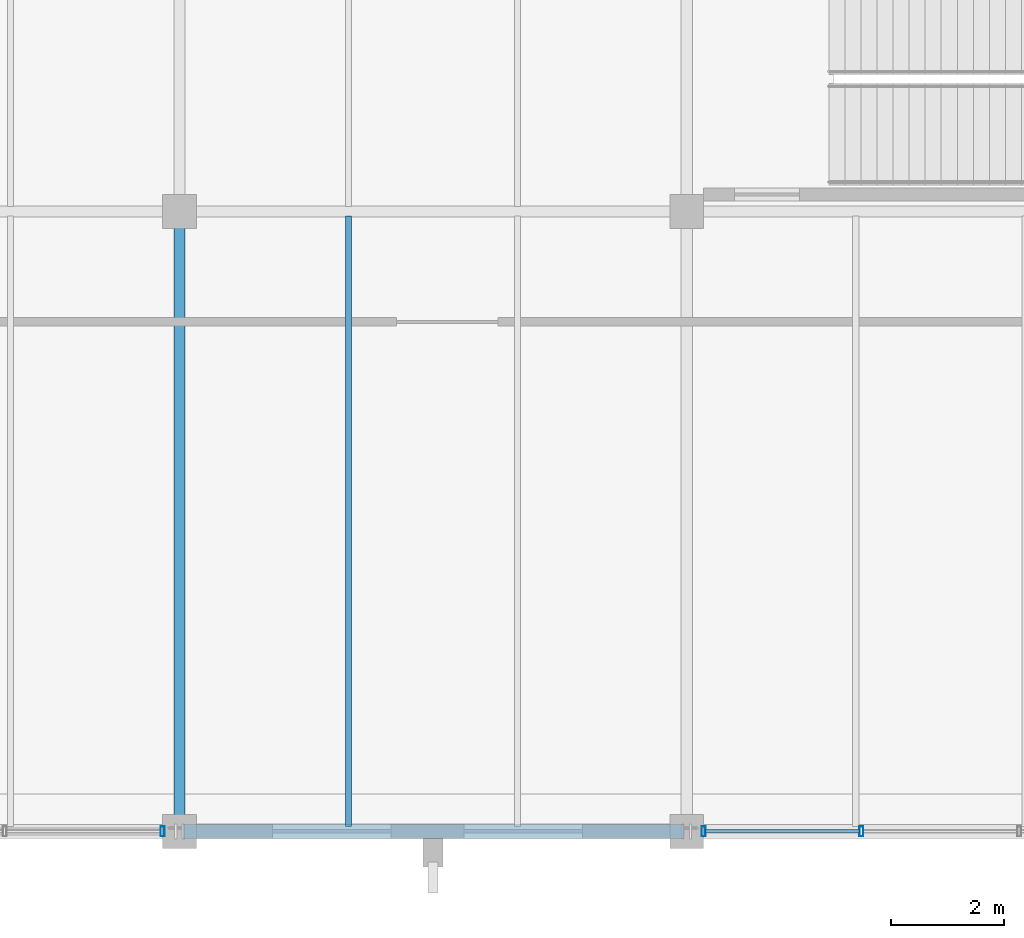
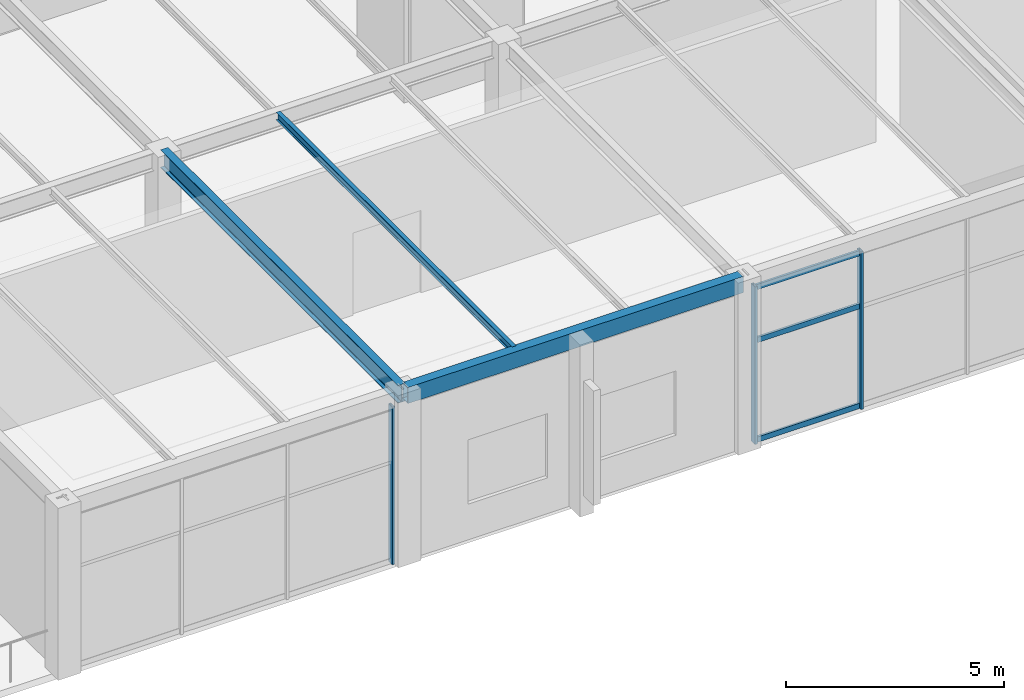
# One storey, part 53 of 143: 6 members, 3 beams, 2 elements without a shape of their own.
"""IFC4 building model written with IfcOpenShell, lengths in metres."""

from ifc_helpers import new_model, si_unit, direction, frame, origin, origin_2d, place, context, subcontext, project, spatial, hollow_rectangle, i_section, extrude, material, layer, layer_set, material_profile, profile_set, type_object, element, aggregate, save


model = new_model("IFC4")

# Units and contexts
model_context = context("Model", 3, precision=1e-05, world=origin(), true_north=direction((0.0, 1.0)))
body_context = subcontext(model_context, "Body", "Model", "MODEL_VIEW")
ifc_project = project(units=[si_unit("LENGTHUNIT", "METRE"), si_unit("AREAUNIT", "SQUARE_METRE"), si_unit("VOLUMEUNIT", "CUBIC_METRE"), si_unit("PLANEANGLEUNIT", "RADIAN"), si_unit("MASSUNIT", "GRAM", prefix="KILO")], contexts=[model_context])

# Site, building, storey
site_placement = place(None, origin())
site = spatial("IfcSite", under=ifc_project, at=site_placement, CompositionType="ELEMENT")
building_placement = place(site_placement, origin())
building = spatial("IfcBuilding", under=site, at=building_placement, Name="Marlcrest Central Station", CompositionType="ELEMENT")
storey_placement = place(building_placement, frame((0.0, 0.0, 4.800048828125)))
storey = spatial("IfcBuildingStorey", under=building, at=storey_placement, Name="L01", CompositionType="ELEMENT", Elevation=4.800048828125)

# Beams
ifc_material_1 = material(Name="Steel S355", Category="steel")
ifc_material_profile_1 = material_profile(ifc_material_1, i_section(OverallWidth=0.199951171875, OverallDepth=0.5, WebThickness=0.01025390625, FlangeThickness=0.01611328125, FilletRadius=0.02099609375, at=origin_2d()), Name="IPE 500")
ifc_profile_set_1 = profile_set([ifc_material_profile_1], Name="Steel S355")
beam_type_1 = type_object("IfcBeamType", Name="BM-05", PredefinedType="BEAM", material=ifc_profile_set_1)
beam_1_placement = place(storey_placement, frame((162.0, 0.06005859375, 4.56494140625), z_axis=(0.0, 1.0, 0.0), x_axis=(-1.0, 0.0, 0.0)))
element("IfcBeam", 1, at=beam_1_placement, inside=storey, type_object=beam_type_1, Name="bm-BM-05-L01-00890", PredefinedType="BEAM", context=body_context, shape_type="SweptSolid", body=[
    extrude(i_section(OverallWidth=0.199951171875, OverallDepth=0.5, WebThickness=0.01025390625, FlangeThickness=0.01611328125, FilletRadius=0.02099609375, at=origin_2d()), origin(), (0.0, 0.0, 1.0), 10.8798828125),
])
ifc_material_profile_2 = material_profile(ifc_material_1, i_section(OverallWidth=0.110107421875, OverallDepth=0.219970703125, WebThickness=0.005859375, FlangeThickness=0.00927734375, FilletRadius=0.011962890625, at=origin_2d()), Name="IPE 220")
ifc_profile_set_2 = profile_set([ifc_material_profile_2], Name="Steel S355")
beam_type_2 = type_object("IfcBeamType", Name="JS-02", PredefinedType="JOIST", material=ifc_profile_set_2)
beam_2_placement = place(storey_placement, frame((165.0, 0.0830078125, 4.704833984375), z_axis=(0.0, 1.0, 0.0), x_axis=(-1.0, 0.0, 0.0)))
element("IfcBeam", 2, at=beam_2_placement, inside=storey, type_object=beam_type_2, Name="bm-JS-02-L01-00917", PredefinedType="JOIST", context=body_context, shape_type="SweptSolid", body=[
    extrude(i_section(OverallWidth=0.110107421875, OverallDepth=0.219970703125, WebThickness=0.005859375, FlangeThickness=0.00927734375, FilletRadius=0.011962890625, at=origin_2d()), origin(), (0.0, 0.0, 1.0), 10.833984375),
])

# Curtain wall, member
ifc_material_2 = material(Name="Anodised aluminium and hurricane laminated glass", Category="aluminium")
ifc_layer = layer(ifc_material_2, 0.179931640625, Name="CW-S1")
ifc_layer_set = layer_set([ifc_layer], Name="Anodised aluminium and hurricane laminated glass")
curtain_wall_type = type_object("IfcCurtainWallType", Name="CW-S1", PredefinedType="USERDEFINED", material=ifc_layer_set)
curtain_wall_1_placement = place(storey_placement, origin())
curtain_wall_1 = element("IfcCurtainWall", 3, at=curtain_wall_1_placement, inside=storey, type_object=curtain_wall_type, Name="cw-L01-0149", ObjectType="STICK_CURTAIN_WALL", PredefinedType="USERDEFINED")
ifc_material_3 = material(Name="Anodised aluminium 6063-T6", Category="aluminium")
ifc_material_profile_3 = material_profile(ifc_material_3, hollow_rectangle(XDim=0.070068359375, YDim=0.179931640625, WallThickness=0.0048828125, at=origin_2d()), Name="AA-RHS 180x70x5")
ifc_profile_set_3 = profile_set([ifc_material_profile_3], Name="Anodised aluminium 6063-T6")
member_type_1 = type_object("IfcMemberType", Name="ML-02", PredefinedType="MULLION", material=ifc_profile_set_3)
member_1_placement = place(storey_placement, frame((161.699951171875, 0.0, -0.030029296875), z_axis=(0.0, 0.0, 1.0), x_axis=(1.0, 0.0, 0.0)))
member_1 = element("IfcMember", 4, at=member_1_placement, type_object=member_type_1, Name="cw-L01-0149-ml-0", PredefinedType="MULLION", context=body_context, shape_type="SweptSolid", body=[
    extrude(hollow_rectangle(XDim=0.070068359375, YDim=0.179931640625, WallThickness=0.0048828125, at=origin_2d()), origin(), (0.0, 0.0, 1.0), 4.409912109375),
])
aggregate(curtain_wall_1, [member_1])

# Curtain wall, members
curtain_wall_2_placement = place(storey_placement, origin())
curtain_wall_2 = element("IfcCurtainWall", 5, at=curtain_wall_2_placement, inside=storey, type_object=curtain_wall_type, Name="cw-L01-0150", ObjectType="STICK_CURTAIN_WALL", PredefinedType="USERDEFINED")
member_2_placement = place(storey_placement, frame((174.10009765625, 0.0, -0.030029296875), z_axis=(0.0, 0.0, 1.0), x_axis=(1.0, 0.0, 0.0)))
member_2 = element("IfcMember", 6, at=member_2_placement, type_object=member_type_1, Name="cw-L01-0150-ml-2", PredefinedType="MULLION", context=body_context, shape_type="SweptSolid", body=[
    extrude(hollow_rectangle(XDim=0.070068359375, YDim=0.179931640625, WallThickness=0.0048828125, at=origin_2d()), origin(), (0.0, 0.0, 1.0), 4.409912109375),
])
member_3_placement = place(storey_placement, frame((171.300048828125, 0.0, -0.030029296875), z_axis=(0.0, 0.0, 1.0), x_axis=(1.0, 0.0, 0.0)))
member_3 = element("IfcMember", 7, at=member_3_placement, type_object=member_type_1, Name="cw-L01-0150-ml-3", PredefinedType="MULLION", context=body_context, shape_type="SweptSolid", body=[
    extrude(hollow_rectangle(XDim=0.070068359375, YDim=0.179931640625, WallThickness=0.0048828125, at=origin_2d()), origin(), (0.0, 0.0, 1.0), 4.409912109375),
])

# Beam
ifc_material_profile_4 = material_profile(ifc_material_1, hollow_rectangle(XDim=0.25, YDim=0.449951171875, WallThickness=0.01611328125, at=origin_2d()), Name="RHS 450x250x16")
ifc_profile_set_4 = profile_set([ifc_material_profile_4], Name="Steel S355")
beam_type_3 = type_object("IfcBeamType", Name="SP-02", PredefinedType="SPANDREL", material=ifc_profile_set_4)
beam_3_placement = place(storey_placement, frame((162.06005859375, 0.0, 4.58984375), z_axis=(1.0, 0.0, 0.0), x_axis=(0.0, 1.0, 0.0)))
element("IfcBeam", 8, at=beam_3_placement, inside=storey, type_object=beam_type_3, Name="bm-SP-02-L01-00860", PredefinedType="SPANDREL", context=body_context, shape_type="SweptSolid", body=[
    extrude(hollow_rectangle(XDim=0.25, YDim=0.449951171875, WallThickness=0.01611328125, at=origin_2d()), origin(), (0.0, 0.0, 1.0), 8.8798828125),
])

# Member
ifc_material_profile_5 = material_profile(ifc_material_3, hollow_rectangle(XDim=0.06005859375, YDim=0.14990234375, WallThickness=0.00390625, at=origin_2d()), Name="AA-RHS 150x60x4")
ifc_profile_set_5 = profile_set([ifc_material_profile_5], Name="Anodised aluminium 6063-T6")
member_type_2 = type_object("IfcMemberType", Name="TR-01", PredefinedType="USERDEFINED", material=ifc_profile_set_5)
member_4_placement = place(storey_placement, frame((174.06689453125, 0.0, 0.0400390625), z_axis=(-1.0, 0.0, 0.0), x_axis=(0.0, -1.0, 0.0)))
member_4 = element("IfcMember", 9, at=member_4_placement, type_object=member_type_2, Name="cw-L01-0150-tr-2-sill", ObjectType="TRANSOM", PredefinedType="USERDEFINED", context=body_context, shape_type="SweptSolid", body=[
    extrude(hollow_rectangle(XDim=0.06005859375, YDim=0.14990234375, WallThickness=0.00390625, at=origin_2d()), origin(), (0.0, 0.0, 1.0), 2.73388671875),
])

member_5_placement = place(storey_placement, frame((174.06689453125, 0.0, 2.827880859375), z_axis=(-1.0, 0.0, 0.0), x_axis=(0.0, -1.0, 0.0)))
member_5 = element("IfcMember", 10, at=member_5_placement, type_object=member_type_2, Name="cw-L01-0150-tr-2-mid", ObjectType="TRANSOM", PredefinedType="USERDEFINED", context=body_context, shape_type="SweptSolid", body=[
    extrude(hollow_rectangle(XDim=0.06005859375, YDim=0.14990234375, WallThickness=0.00390625, at=origin_2d()), origin(), (0.0, 0.0, 1.0), 2.73388671875),
])

member_6_placement = place(storey_placement, frame((174.06689453125, 0.0, 4.31005859375), z_axis=(-1.0, 0.0, 0.0), x_axis=(0.0, -1.0, 0.0)))
member_6 = element("IfcMember", 11, at=member_6_placement, type_object=member_type_2, Name="cw-L01-0150-tr-2-head", ObjectType="TRANSOM", PredefinedType="USERDEFINED", context=body_context, shape_type="SweptSolid", body=[
    extrude(hollow_rectangle(XDim=0.06005859375, YDim=0.14990234375, WallThickness=0.00390625, at=origin_2d()), origin(), (0.0, 0.0, 1.0), 2.73388671875),
])

aggregate(curtain_wall_2, [member_2, member_3, member_4, member_5, member_6])

save(model, "model.ifc")
